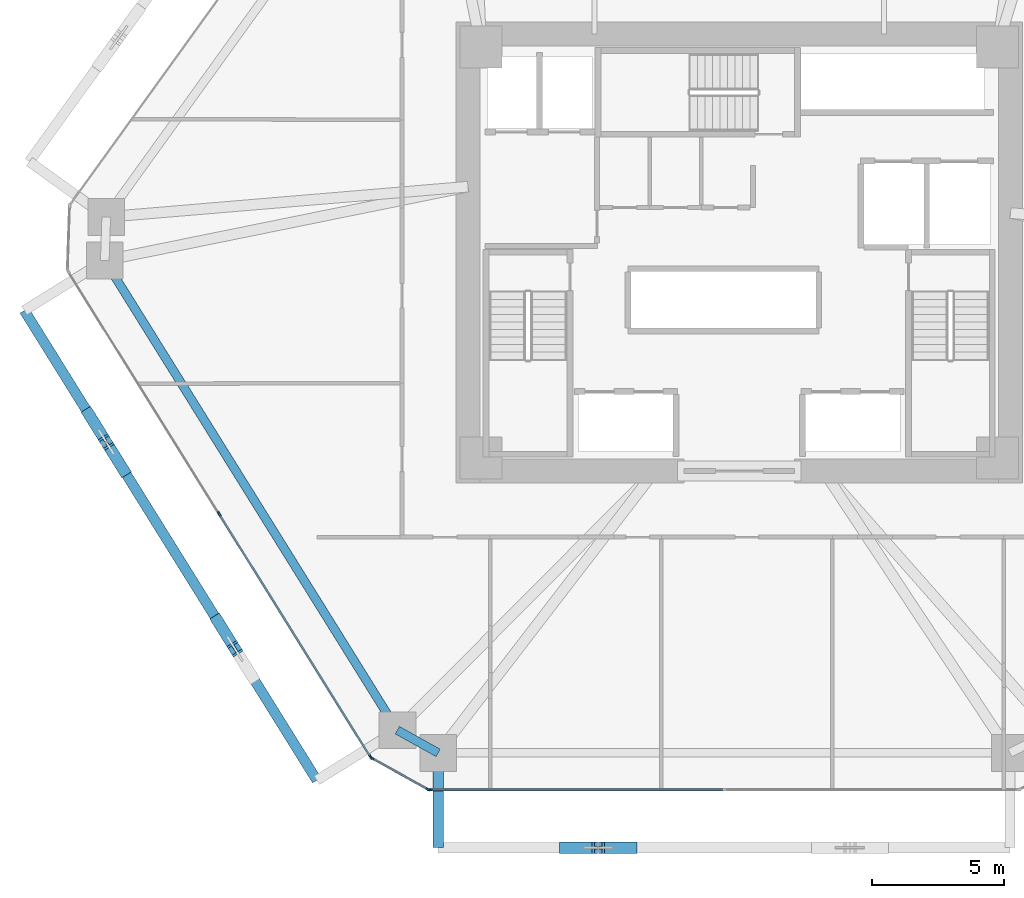
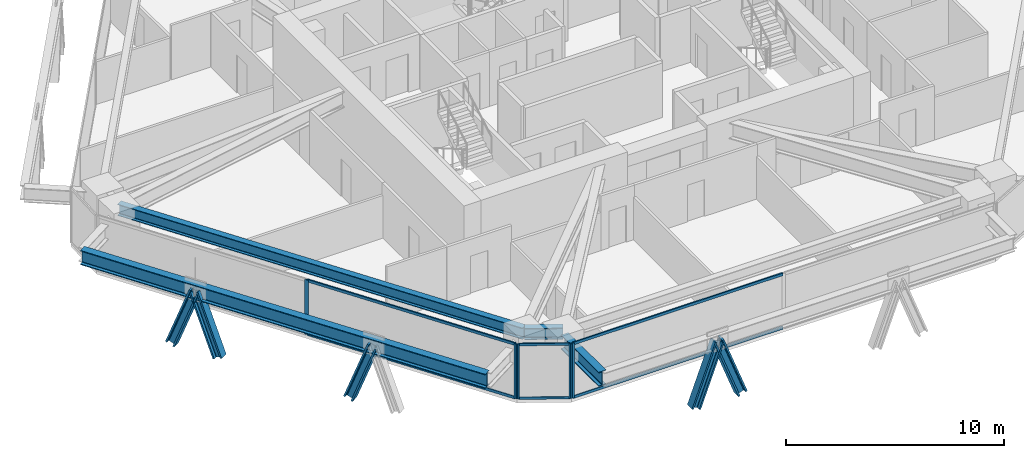
# One storey, part 2 of 17: 16 members, 4 beams, 3 elements without a shape of their own.
"""IFC4 building model written with IfcOpenShell, lengths in metres."""

from ifc_helpers import new_model, si_unit, direction, frame, origin, origin_2d, place, context, subcontext, project, spatial, rectangle, i_section, extrude, source, transform, mapped, material, layer, layer_set, material_profile, profile_set, type_object, type_shapes, element, aggregate, save


model = new_model("IFC4")

# Units and contexts
model_context = context("Model", 3, precision=1e-05, world=origin(), true_north=direction((0.0, 1.0)))
body_context = subcontext(model_context, "Body", "Model", "MODEL_VIEW")
ifc_project = project(units=[si_unit("LENGTHUNIT", "METRE"), si_unit("AREAUNIT", "SQUARE_METRE"), si_unit("VOLUMEUNIT", "CUBIC_METRE"), si_unit("PLANEANGLEUNIT", "RADIAN"), si_unit("MASSUNIT", "GRAM", prefix="KILO")], contexts=[model_context])

# Site, building, storey
site_placement = place(None, origin())
site = spatial("IfcSite", under=ifc_project, at=site_placement, CompositionType="ELEMENT")
building_placement = place(site_placement, origin())
building = spatial("IfcBuilding", under=site, at=building_placement, Name="Durnholm Broadcast Tower", CompositionType="ELEMENT")
storey_placement = place(building_placement, frame((0.0, 0.0, 39.0)))
storey = spatial("IfcBuildingStorey", under=building, at=storey_placement, Name="L08", CompositionType="ELEMENT", Elevation=39.0)

# Beams
ifc_material_1 = material(Name="Steel ASTM A992 Grade 50", Category="steel")
ifc_material_profile_1 = material_profile(ifc_material_1, i_section(OverallWidth=0.3291015625, OverallDepth=0.635009765625, WebThickness=0.017822265625, FlangeThickness=0.031005859375, FilletRadius=0.02783203125, at=origin_2d()), Name="W24X162")
ifc_profile_set_1 = profile_set([ifc_material_profile_1], Name="Steel ASTM A992 Grade 50")
beam_type_1 = type_object("IfcBeamType", Name="STL-SP-W24X162", PredefinedType="SPANDREL", material=ifc_profile_set_1)
shared_shape_1 = source(origin(), body_context, "Body", "SweptSolid", [
    extrude(i_section(OverallWidth=0.3291015625, OverallDepth=0.635009765625, WebThickness=0.017822265625, FlangeThickness=0.031005859375, FilletRadius=0.02783203125, at=origin_2d()), origin(), (0.0, 0.0, 1.0), 21.014404296875),
])
beam_1_placement = place(storey_placement, frame((-12.982666015625, -18.138427734375, 2.7275390625), z_axis=(-0.528595731543, 0.848873696491, 0.0), x_axis=(-0.848873696491, -0.528595731543, 0.0)))
element("IfcBeam", 1, at=beam_1_placement, inside=storey, type_object=beam_type_1, Name="L08 perimeter spandrel girder 01", PredefinedType="SPANDREL", context=body_context, shape_type="MappedRepresentation", body=[
    mapped(shared_shape_1, transform((0.0, 0.0, 0.0), x_axis=(1.0, 0.0, 0.0), y_axis=(0.0, 1.0, 0.0), z_axis=(0.0, 0.0, 1.0), scale=1.0)),
])
shared_shape_2 = source(origin(), body_context, "Body", "SweptSolid", [
    extrude(i_section(OverallWidth=0.3291015625, OverallDepth=0.635009765625, WebThickness=0.017822265625, FlangeThickness=0.031005859375, FilletRadius=0.02783203125, at=origin_2d()), origin(), (0.0, 0.0, 1.0), 1.774658203125),
])
type_shapes(beam_type_1, [shared_shape_1, shared_shape_2])
beam_2_placement = place(storey_placement, frame((-11.43115234375, -19.0, 2.7275390625), z_axis=(-0.874248107979, 0.485479397806, 0.0), x_axis=(-0.485479397806, -0.874248107979, 0.0)))
element("IfcBeam", 2, at=beam_2_placement, inside=storey, type_object=beam_type_1, Name="L08 perimeter spandrel girder 12", PredefinedType="SPANDREL", context=body_context, shape_type="MappedRepresentation", body=[
    mapped(shared_shape_2, transform((0.0, 0.0, 0.0), x_axis=(1.0, 0.0, 0.0), y_axis=(0.0, 1.0, 0.0), z_axis=(0.0, 0.0, 1.0), scale=1.0)),
])
ifc_material_profile_2 = material_profile(ifc_material_1, i_section(OverallWidth=0.385009765625, OverallDepth=0.802978515625, WebThickness=0.023681640625, FlangeThickness=0.0419921875, FilletRadius=0.032958984375, at=origin_2d()), Name="W30X261")
ifc_profile_set_2 = profile_set([ifc_material_profile_2], Name="Steel ASTM A992 Grade 50")
beam_type_2 = type_object("IfcBeamType", Name="BM-EXO-TIE", PredefinedType="USERDEFINED", material=ifc_profile_set_2)
shared_shape_3 = source(origin(), body_context, "Body", "SweptSolid", [
    extrude(i_section(OverallWidth=0.385009765625, OverallDepth=0.802978515625, WebThickness=0.023681640625, FlangeThickness=0.0419921875, FilletRadius=0.032958984375, at=origin_2d()), origin(), (0.0, 0.0, 1.0), 3.4560546875),
])
beam_3_placement = place(storey_placement, frame((-11.43115234375, -19.14404296875, 2.30859375), z_axis=(0.0, -1.0, 0.0), x_axis=(1.0, 0.0, 0.0)))
element("IfcBeam", 3, at=beam_3_placement, inside=storey, type_object=beam_type_2, Name="L08 exoskeleton stand-off tie bracket F1.1", ObjectType="GIRDER", PredefinedType="USERDEFINED", context=body_context, shape_type="MappedRepresentation", body=[
    mapped(shared_shape_3, transform((0.0, 0.0, 0.0), x_axis=(1.0, 0.0, 0.0), y_axis=(0.0, 1.0, 0.0), z_axis=(0.0, 0.0, 1.0), scale=1.0)),
])
shared_shape_4 = source(origin(), body_context, "Body", "SweptSolid", [
    extrude(i_section(OverallWidth=0.385009765625, OverallDepth=0.802978515625, WebThickness=0.023681640625, FlangeThickness=0.0419921875, FilletRadius=0.032958984375, at=origin_2d()), origin(), (0.0, 0.0, 1.0), 21.0146484375),
])
type_shapes(beam_type_2, [shared_shape_3, shared_shape_4])
beam_4_placement = place(storey_placement, frame((-27.146728515625, -2.20263671875, 2.30859375), z_axis=(0.528590518575, -0.848876942597, 0.0), x_axis=(0.848876942597, 0.528590518575, 0.0)))
element("IfcBeam", 4, at=beam_4_placement, inside=storey, type_object=beam_type_2, Name="L08 exoskeleton collector spandrel F6", PredefinedType="SPANDREL", context=body_context, shape_type="MappedRepresentation", body=[
    mapped(shared_shape_4, transform((0.0, 0.0, 0.0), x_axis=(1.0, 0.0, 0.0), y_axis=(0.0, 1.0, 0.0), z_axis=(0.0, 0.0, 1.0), scale=1.0)),
])

# Members
ifc_material_2 = material(Name="Steel ASTM A913 Grade 65", Category="steel")
ifc_material_profile_3 = material_profile(ifc_material_2, i_section(OverallWidth=0.43212890625, OverallDepth=0.497802734375, WebThickness=0.0556640625, FlangeThickness=0.0888671875, FilletRadius=0.030517578125, at=origin_2d()), Name="W14X500")
ifc_profile_set_3 = profile_set([ifc_material_profile_3], Name="Steel ASTM A913 Grade 65")
member_type_1 = type_object("IfcMemberType", Name="STL-DG-W14X500", PredefinedType="BRACE", material=ifc_profile_set_3)
shared_shape_5 = source(origin(), body_context, "Body", "SweptSolid", [
    extrude(i_section(OverallWidth=0.43212890625, OverallDepth=0.497802734375, WebThickness=0.0556640625, FlangeThickness=0.0888671875, FilletRadius=0.030517578125, at=origin_2d()), origin(), (0.0, 0.0, 1.0), 3.523193359375),
])
type_shapes(member_type_1, [shared_shape_5])
for number, where, z_axis, x_axis, name in (
    (5, (-6.585205078125, -22.60009765625, -0.991455078125), (0.350219588454, 0.0, 0.936667625075), (0.0, 1.0, 0.0), "L08 stand-off diagrid brace F1.D1.1"),
    (6, (-4.117431640625, -22.60009765625, -0.991455078125), (-0.350219588454, 0.0, 0.936667625075), (0.0, -1.0, 0.0), "L08 stand-off diagrid brace F1.D1.2"),
    (7, (-24.688720703125, -6.150146484375, -0.991455078125), (0.185157304084, -0.297277258428, 0.936665897941), (0.848819847179, 0.528682198523, 0.0), "L08 stand-off diagrid brace F6.D1.1"),
    (8, (-23.38427734375, -8.244873046875, -0.991455078125), (-0.185090383068, 0.297281072018, 0.936677913861), (-0.848908635391, -0.528539618911, 0.0), "L08 stand-off diagrid brace F6.D1.2"),
    (9, (-19.801025390625, -13.9990234375, -0.991455078125), (0.185090383068, -0.297281072018, 0.936677913861), (0.848908635391, 0.528539618911, 0.0), "L08 stand-off diagrid brace F6.D2.1"),
):
    element("IfcMember", number, at=place(storey_placement, frame(where, z_axis=z_axis, x_axis=x_axis)), inside=storey, type_object=member_type_1, Name=name, PredefinedType="BRACE", context=body_context, shape_type="MappedRepresentation", body=[
        mapped(shared_shape_5, transform((0.0, 0.0, 0.0), x_axis=(1.0, 0.0, 0.0), y_axis=(0.0, 1.0, 0.0), z_axis=(0.0, 0.0, 1.0), scale=1.0)),
    ])

# Curtain wall, members
ifc_material_3 = material(Name="Aluminium and Solar Control IGU", Category="aluminium")
ifc_layer_1 = layer(ifc_material_3, 0.1650390625)
ifc_layer_set_1 = layer_set([ifc_layer_1], Name="Aluminium and Solar Control IGU")
curtain_wall_type_1 = type_object("IfcCurtainWallType", Name="CW-SYS-5", PredefinedType="NOTDEFINED", material=ifc_layer_set_1)
curtain_wall_1_placement = place(storey_placement, origin())
curtain_wall_1 = element("IfcCurtainWall", 10, at=curtain_wall_1_placement, inside=storey, type_object=curtain_wall_type_1, Name="L08 curtain wall CW-CORNER CW-L08-CRN-11", PredefinedType="NOTDEFINED")
ifc_material_4 = material(Name="Aluminium 6063-T6", Category="aluminium")
ifc_material_profile_4 = material_profile(ifc_material_4, rectangle(XDim=0.06494140625, YDim=0.1650390625, at=origin_2d()), Name="CWM65X165")
ifc_profile_set_4 = profile_set([ifc_material_profile_4], Name="Aluminium 6063-T6")
member_type_2 = type_object("IfcMemberType", Name="CW-SYS-5-MUL", PredefinedType="MULLION", material=ifc_profile_set_4)
shared_shape_6 = source(origin(), body_context, "Body", "SweptSolid", [
    extrude(rectangle(XDim=0.06494140625, YDim=0.1650390625, at=origin_2d()), origin(), (0.0, 0.0, 1.0), 3.06005859375),
])
type_shapes(member_type_2, [shared_shape_6])
member_1_placement = place(storey_placement, frame((-11.822265625, -20.38427734375, 0.0), z_axis=(0.0, 0.0, 1.0), x_axis=(-0.485483299359, -0.874245941394, 0.0)))
member_1 = element("IfcMember", 11, at=member_1_placement, type_object=member_type_2, Name="CW-CORNER mullion 1", PredefinedType="MULLION", context=body_context, shape_type="MappedRepresentation", body=[
    mapped(shared_shape_6, transform((0.0, 0.0, 0.0), x_axis=(1.0, 0.0, 0.0), y_axis=(0.0, 1.0, 0.0), z_axis=(0.0, 0.0, 1.0), scale=1.0)),
])
member_2_placement = place(storey_placement, frame((-13.950927734375, -19.2021484375, 0.0), z_axis=(0.0, 0.0, 1.0), x_axis=(-0.485483299359, -0.874245941394, 0.0)))
member_2 = element("IfcMember", 12, at=member_2_placement, type_object=member_type_2, Name="CW-CORNER mullion 2", PredefinedType="MULLION", context=body_context, shape_type="MappedRepresentation", body=[
    mapped(shared_shape_6, transform((0.0, 0.0, 0.0), x_axis=(1.0, 0.0, 0.0), y_axis=(0.0, 1.0, 0.0), z_axis=(0.0, 0.0, 1.0), scale=1.0)),
])
ifc_material_profile_5 = material_profile(ifc_material_4, rectangle(XDim=0.06494140625, YDim=0.1298828125, at=origin_2d()), Name="CWT65X130")
ifc_profile_set_5 = profile_set([ifc_material_profile_5], Name="Aluminium 6063-T6")
member_type_3 = type_object("IfcMemberType", Name="CW-SYS-5-TRN", PredefinedType="USERDEFINED", material=ifc_profile_set_5)
shared_shape_7 = source(origin(), body_context, "Body", "SweptSolid", [
    extrude(rectangle(XDim=0.06494140625, YDim=0.1298828125, at=origin_2d()), origin(), (0.0, 0.0, 1.0), 2.3701171875),
])
type_shapes(member_type_3, [shared_shape_7])
member_3_placement = place(storey_placement, frame((-11.8505859375, -20.368408203125, 0.032470703125), z_axis=(-0.874244723151, 0.485485493132, 0.0), x_axis=(-0.485485493132, -0.874244723151, 0.0)))
member_3 = element("IfcMember", 13, at=member_3_placement, type_object=member_type_3, Name="CW-CORNER transom 1.1", ObjectType="TRANSOM", PredefinedType="USERDEFINED", context=body_context, shape_type="MappedRepresentation", body=[
    mapped(shared_shape_7, transform((0.0, 0.0, 0.0), x_axis=(1.0, 0.0, 0.0), y_axis=(0.0, 1.0, 0.0), z_axis=(0.0, 0.0, 1.0), scale=1.0)),
])
member_4_placement = place(storey_placement, frame((-11.8505859375, -20.368408203125, 3.027587890625), z_axis=(-0.874244723151, 0.485485493132, 0.0), x_axis=(-0.485485493132, -0.874244723151, 0.0)))
member_4 = element("IfcMember", 14, at=member_4_placement, type_object=member_type_3, Name="CW-CORNER transom 1.2", ObjectType="TRANSOM", PredefinedType="USERDEFINED", context=body_context, shape_type="MappedRepresentation", body=[
    mapped(shared_shape_7, transform((0.0, 0.0, 0.0), x_axis=(1.0, 0.0, 0.0), y_axis=(0.0, 1.0, 0.0), z_axis=(0.0, 0.0, 1.0), scale=1.0)),
])
aggregate(curtain_wall_1, [member_1, member_2, member_3, member_4])

# Curtain wall, member
ifc_layer_2 = layer(ifc_material_3, 0.18994140625)
ifc_layer_set_2 = layer_set([ifc_layer_2], Name="Aluminium and Solar Control IGU")
curtain_wall_type_2 = type_object("IfcCurtainWallType", Name="CW-SYS-3", PredefinedType="NOTDEFINED", material=ifc_layer_set_2)
curtain_wall_2_placement = place(storey_placement, origin())
curtain_wall_2 = element("IfcCurtainWall", 15, at=curtain_wall_2_placement, inside=storey, type_object=curtain_wall_type_2, Name="L08 curtain wall CW-Z12-VIS CW-L08-F10", PredefinedType="NOTDEFINED")
ifc_material_profile_6 = material_profile(ifc_material_4, rectangle(XDim=0.070068359375, YDim=0.18994140625, at=origin_2d()), Name="CWM70X190")
ifc_profile_set_6 = profile_set([ifc_material_profile_6], Name="Aluminium 6063-T6")
member_type_4 = type_object("IfcMemberType", Name="CW-SYS-3-MUL", PredefinedType="MULLION", material=ifc_profile_set_6)
shared_shape_8 = source(origin(), body_context, "Body", "SweptSolid", [
    extrude(rectangle(XDim=0.070068359375, YDim=0.18994140625, at=origin_2d()), origin(), (0.0, 0.0, 1.0), 3.06005859375),
])
type_shapes(member_type_4, [shared_shape_8])
member_5_placement = place(storey_placement, frame((-11.7587890625, -20.39990234375, 0.0), z_axis=(0.0, 0.0, 1.0), x_axis=(0.0, -1.0, 0.0)))
member_5 = element("IfcMember", 16, at=member_5_placement, type_object=member_type_4, Name="CW-Z12-VIS mullion 3", PredefinedType="MULLION", context=body_context, shape_type="MappedRepresentation", body=[
    mapped(shared_shape_8, transform((0.0, 0.0, 0.0), x_axis=(1.0, 0.0, 0.0), y_axis=(0.0, 1.0, 0.0), z_axis=(0.0, 0.0, 1.0), scale=1.0)),
])

# Curtain wall, members
curtain_wall_3_placement = place(storey_placement, origin())
curtain_wall_3 = element("IfcCurtainWall", 17, at=curtain_wall_3_placement, inside=storey, type_object=curtain_wall_type_2, Name="L08 curtain wall CW-Z12-VIS CW-L08-F12", PredefinedType="NOTDEFINED")
member_6_placement = place(storey_placement, frame((-13.997802734375, -19.156494140625, 0.0), z_axis=(0.0, 0.0, 1.0), x_axis=(-0.848875785503, -0.528592376777, 0.0)))
member_6 = element("IfcMember", 18, at=member_6_placement, type_object=member_type_4, Name="CW-Z12-VIS mullion 1", PredefinedType="MULLION", context=body_context, shape_type="MappedRepresentation", body=[
    mapped(shared_shape_8, transform((0.0, 0.0, 0.0), x_axis=(1.0, 0.0, 0.0), y_axis=(0.0, 1.0, 0.0), z_axis=(0.0, 0.0, 1.0), scale=1.0)),
])
member_7_placement = place(storey_placement, frame((-19.741943359375, -9.93212890625, 0.0), z_axis=(0.0, 0.0, 1.0), x_axis=(-0.848875785503, -0.528592376777, 0.0)))
member_7 = element("IfcMember", 19, at=member_7_placement, type_object=member_type_4, Name="CW-Z12-VIS mullion 2", PredefinedType="MULLION", context=body_context, shape_type="MappedRepresentation", body=[
    mapped(shared_shape_8, transform((0.0, 0.0, 0.0), x_axis=(1.0, 0.0, 0.0), y_axis=(0.0, 1.0, 0.0), z_axis=(0.0, 0.0, 1.0), scale=1.0)),
])
ifc_material_profile_7 = material_profile(ifc_material_4, rectangle(XDim=0.070068359375, YDim=0.14990234375, at=origin_2d()), Name="CWT70X150")
ifc_profile_set_7 = profile_set([ifc_material_profile_7], Name="Aluminium 6063-T6")
member_type_5 = type_object("IfcMemberType", Name="CW-SYS-3-TRN", PredefinedType="USERDEFINED", material=ifc_profile_set_7)
shared_shape_9 = source(origin(), body_context, "Body", "SweptSolid", [
    extrude(rectangle(XDim=0.070068359375, YDim=0.14990234375, at=origin_2d()), origin(), (0.0, 0.0, 1.0), 10.796630859375),
])
member_8_placement = place(storey_placement, frame((-14.016357421875, -19.126953125, 0.034912109375), z_axis=(-0.528591657678, 0.848876233283, 0.0), x_axis=(-0.848876233283, -0.528591657678, 0.0)))
member_8 = element("IfcMember", 20, at=member_8_placement, type_object=member_type_5, Name="CW-Z12-VIS transom 1.1", ObjectType="TRANSOM", PredefinedType="USERDEFINED", context=body_context, shape_type="MappedRepresentation", body=[
    mapped(shared_shape_9, transform((0.0, 0.0, 0.0), x_axis=(1.0, 0.0, 0.0), y_axis=(0.0, 1.0, 0.0), z_axis=(0.0, 0.0, 1.0), scale=1.0)),
])
member_9_placement = place(storey_placement, frame((-14.016357421875, -19.126953125, 3.02490234375), z_axis=(-0.528591657678, 0.848876233283, 0.0), x_axis=(-0.848876233283, -0.528591657678, 0.0)))
member_9 = element("IfcMember", 21, at=member_9_placement, type_object=member_type_5, Name="CW-Z12-VIS transom 1.2", ObjectType="TRANSOM", PredefinedType="USERDEFINED", context=body_context, shape_type="MappedRepresentation", body=[
    mapped(shared_shape_9, transform((0.0, 0.0, 0.0), x_axis=(1.0, 0.0, 0.0), y_axis=(0.0, 1.0, 0.0), z_axis=(0.0, 0.0, 1.0), scale=1.0)),
])
aggregate(curtain_wall_3, [member_6, member_7, member_8, member_9])

# Member
shared_shape_10 = source(origin(), body_context, "Body", "SweptSolid", [
    extrude(rectangle(XDim=0.070068359375, YDim=0.14990234375, at=origin_2d()), origin(), (0.0, 0.0, 1.0), 11.10205078125),
])
type_shapes(member_type_5, [shared_shape_9, shared_shape_10])
member_10_placement = place(storey_placement, frame((-0.621826171875, -20.39990234375, 0.034912109375), z_axis=(-1.0, 0.0, 0.0), x_axis=(0.0, -1.0, 0.0)))
member_10 = element("IfcMember", 22, at=member_10_placement, type_object=member_type_5, Name="CW-Z12-VIS transom 2.1", ObjectType="TRANSOM", PredefinedType="USERDEFINED", context=body_context, shape_type="MappedRepresentation", body=[
    mapped(shared_shape_10, transform((0.0, 0.0, 0.0), x_axis=(1.0, 0.0, 0.0), y_axis=(0.0, 1.0, 0.0), z_axis=(0.0, 0.0, 1.0), scale=1.0)),
])

member_11_placement = place(storey_placement, frame((-0.621826171875, -20.39990234375, 3.02490234375), z_axis=(-1.0, 0.0, 0.0), x_axis=(0.0, -1.0, 0.0)))
member_11 = element("IfcMember", 23, at=member_11_placement, type_object=member_type_5, Name="CW-Z12-VIS transom 2.2", ObjectType="TRANSOM", PredefinedType="USERDEFINED", context=body_context, shape_type="MappedRepresentation", body=[
    mapped(shared_shape_10, transform((0.0, 0.0, 0.0), x_axis=(1.0, 0.0, 0.0), y_axis=(0.0, 1.0, 0.0), z_axis=(0.0, 0.0, 1.0), scale=1.0)),
])

aggregate(curtain_wall_2, [member_5, member_10, member_11])

save(model, "model.ifc")
